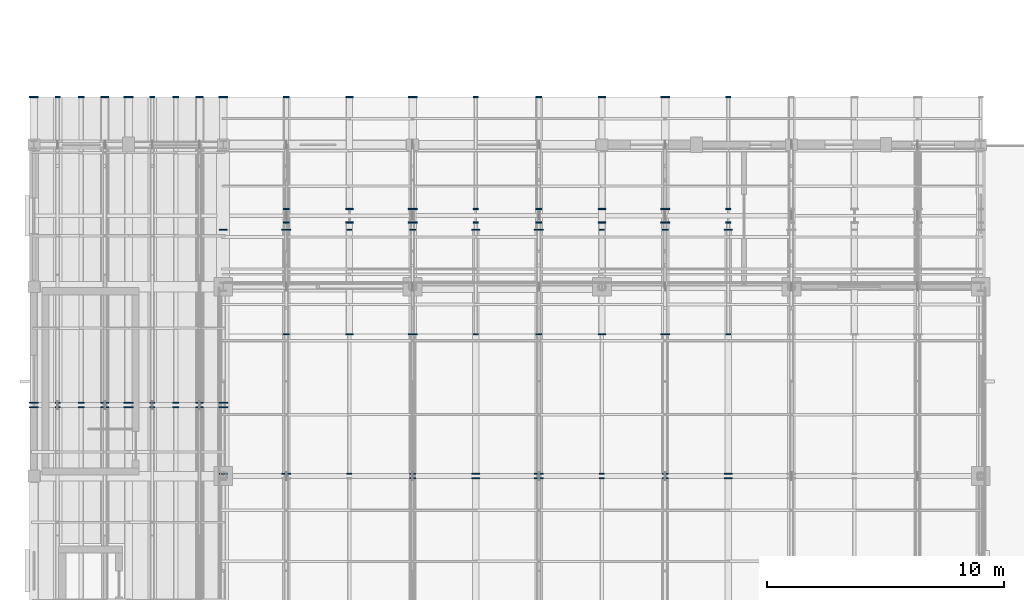
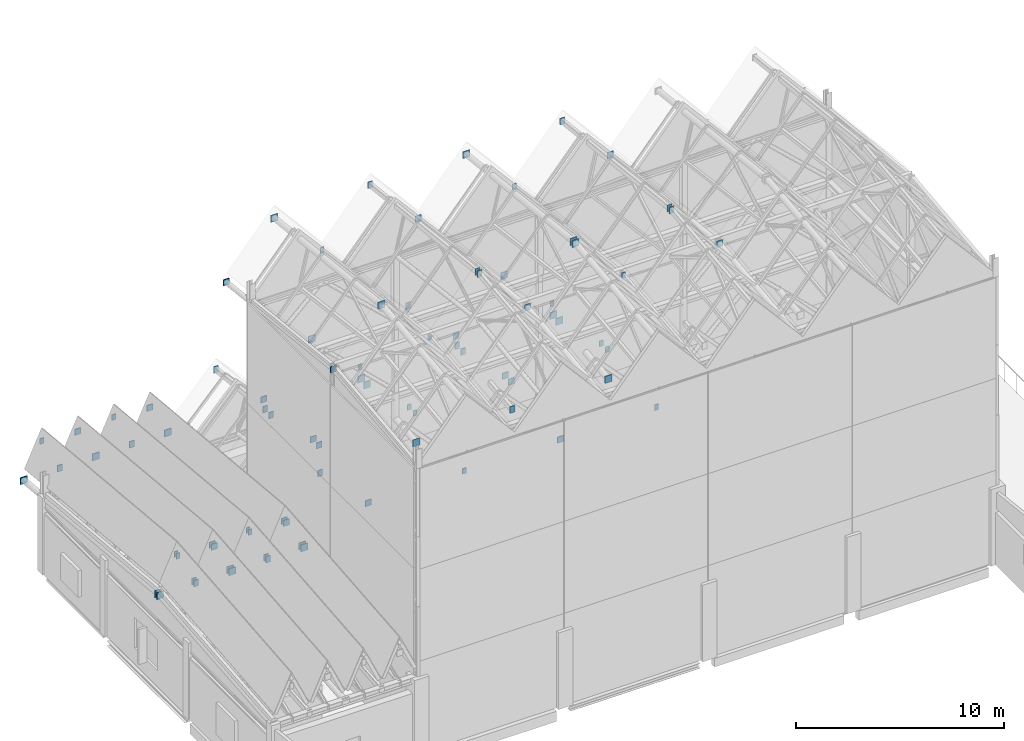
# One storey, part 39 of 48: 83 discrete accessories.
"""IFC4 building model written with IfcOpenShell, lengths in metres."""

from ifc_helpers import new_model, si_unit, direction, frame, origin, origin_2d, place, context, subcontext, project, spatial, rectangle, extrude, material, type_object, element, save


model = new_model("IFC4")

# Units and contexts
model_context = context("Model", 3, precision=1e-05, world=origin(), true_north=direction((0.0, 1.0)))
body_context = subcontext(model_context, "Body", "Model", "MODEL_VIEW")
ifc_project = project(units=[si_unit("LENGTHUNIT", "METRE"), si_unit("AREAUNIT", "SQUARE_METRE"), si_unit("VOLUMEUNIT", "CUBIC_METRE"), si_unit("PLANEANGLEUNIT", "RADIAN"), si_unit("MASSUNIT", "GRAM", prefix="KILO")], contexts=[model_context])

# Site, building, storey
site_placement = place(None, origin())
site = spatial("IfcSite", under=ifc_project, at=site_placement, CompositionType="ELEMENT")
building_placement = place(site_placement, origin())
building = spatial("IfcBuilding", under=site, at=building_placement, Name="Luwemba Playhouse", CompositionType="ELEMENT")
storey_placement = place(building_placement, frame((0.0, 0.0, 13.800048828125)))
storey = spatial("IfcBuildingStorey", under=building, at=storey_placement, Name="L03", CompositionType="ELEMENT", Elevation=13.800048828125)

# Discrete accessories
ifc_material = material(Name="Steel S355", Category="steel")
discrete_accessory_type = type_object("IfcDiscreteAccessoryType", Name="ACC-ENDCAP-S355", PredefinedType="BRACKET", material=ifc_material)
for number, where, z_axis, x_axis, name in (
    (1, (12.0, 76.09521484375, 17.336669921875), (0.0, 0.0, 1.0), (1.0, 0.0, 0.0), "Welded RHS end cap plate 0063"),
    (2, (12.0, 86.414794921875, 16.17919921875), (0.0, 0.0, 1.0), (1.0, 0.0, 0.0), "Welded RHS end cap plate 0064"),
):
    element("IfcDiscreteAccessory", number, at=place(storey_placement, frame(where, z_axis=z_axis, x_axis=x_axis)), inside=storey, type_object=discrete_accessory_type, Name=name, PredefinedType="BRACKET", context=body_context, shape_type="SweptSolid", body=[
        extrude(rectangle(XDim=0.3330078125, YDim=0.044921875, at=origin_2d()), origin(), (0.0, 0.0, 1.0), 0.35302734375),
    ])
for number, where, z_axis, x_axis, name in (
    (3, (14.666748046875, 76.09521484375, 20.1435546875), (0.0, 0.0, 1.0), (1.0, 0.0, 0.0), "Welded RHS end cap plate 0067"),
    (4, (14.666748046875, 86.414794921875, 18.98583984375), (0.0, 0.0, 1.0), (1.0, 0.0, 0.0), "Welded RHS end cap plate 0068"),
):
    element("IfcDiscreteAccessory", number, at=place(storey_placement, frame(where, z_axis=z_axis, x_axis=x_axis)), inside=storey, type_object=discrete_accessory_type, Name=name, PredefinedType="BRACKET", context=body_context, shape_type="SweptSolid", body=[
        extrude(rectangle(XDim=0.384033203125, YDim=0.044921875, at=origin_2d()), origin(), (0.0, 0.0, 1.0), 0.404052734375),
    ])
for number, where, z_axis, x_axis, name in (
    (5, (17.333251953125, 76.09521484375, 17.359619140625), (0.0, 0.0, 1.0), (1.0, 0.0, 0.0), "Welded RHS end cap plate 0071"),
    (6, (17.333251953125, 86.414794921875, 16.2021484375), (0.0, 0.0, 1.0), (1.0, 0.0, 0.0), "Welded RHS end cap plate 0072"),
):
    element("IfcDiscreteAccessory", number, at=place(storey_placement, frame(where, z_axis=z_axis, x_axis=x_axis)), inside=storey, type_object=discrete_accessory_type, Name=name, PredefinedType="BRACKET", context=body_context, shape_type="SweptSolid", body=[
        extrude(rectangle(XDim=0.2099609375, YDim=0.044921875, at=origin_2d()), origin(), (0.0, 0.0, 1.0), 0.330078125),
    ])
for number, where, z_axis, x_axis, name in (
    (7, (20.0, 75.90478515625, 20.239501953125), (0.0, 0.0, 1.0), (1.0, 0.0, 0.0), "Welded RHS end cap plate 0074"),
    (8, (20.0, 76.09521484375, 20.239501953125), (0.0, 0.0, 1.0), (1.0, 0.0, 0.0), "Welded RHS end cap plate 0075"),
    (9, (20.0, 86.414794921875, 19.08203125), (0.0, 0.0, 1.0), (1.0, 0.0, 0.0), "Welded RHS end cap plate 0076"),
):
    element("IfcDiscreteAccessory", number, at=place(storey_placement, frame(where, z_axis=z_axis, x_axis=x_axis)), inside=storey, type_object=discrete_accessory_type, Name=name, PredefinedType="BRACKET", context=body_context, shape_type="SweptSolid", body=[
        extrude(rectangle(XDim=0.260009765625, YDim=0.044921875, at=origin_2d()), origin(), (0.0, 0.0, 1.0), 0.3798828125),
    ])
for number, where, z_axis, x_axis, name in (
    (10, (22.666748046875, 75.90478515625, 17.336669921875), (0.0, 0.0, 1.0), (1.0, 0.0, 0.0), "Welded RHS end cap plate 0078"),
    (11, (22.666748046875, 76.09521484375, 17.336669921875), (0.0, 0.0, 1.0), (1.0, 0.0, 0.0), "Welded RHS end cap plate 0079"),
    (12, (22.666748046875, 86.414794921875, 16.17919921875), (0.0, 0.0, 1.0), (1.0, 0.0, 0.0), "Welded RHS end cap plate 0080"),
):
    element("IfcDiscreteAccessory", number, at=place(storey_placement, frame(where, z_axis=z_axis, x_axis=x_axis)), inside=storey, type_object=discrete_accessory_type, Name=name, PredefinedType="BRACKET", context=body_context, shape_type="SweptSolid", body=[
        extrude(rectangle(XDim=0.3330078125, YDim=0.044921875, at=origin_2d()), origin(), (0.0, 0.0, 1.0), 0.35302734375),
    ])
for number, where, z_axis, x_axis, name in (
    (13, (25.333251953125, 75.90478515625, 20.1435546875), (0.0, 0.0, 1.0), (1.0, 0.0, 0.0), "Welded RHS end cap plate 0082"),
    (14, (25.333251953125, 76.09521484375, 20.1435546875), (0.0, 0.0, 1.0), (1.0, 0.0, 0.0), "Welded RHS end cap plate 0083"),
    (15, (25.333251953125, 86.414794921875, 18.98583984375), (0.0, 0.0, 1.0), (1.0, 0.0, 0.0), "Welded RHS end cap plate 0084"),
):
    element("IfcDiscreteAccessory", number, at=place(storey_placement, frame(where, z_axis=z_axis, x_axis=x_axis)), inside=storey, type_object=discrete_accessory_type, Name=name, PredefinedType="BRACKET", context=body_context, shape_type="SweptSolid", body=[
        extrude(rectangle(XDim=0.384033203125, YDim=0.044921875, at=origin_2d()), origin(), (0.0, 0.0, 1.0), 0.404052734375),
    ])
for number, where, z_axis, x_axis, name in (
    (16, (28.0, 75.90478515625, 17.359619140625), (0.0, 0.0, 1.0), (1.0, 0.0, 0.0), "Welded RHS end cap plate 0086"),
    (17, (28.0, 76.09521484375, 17.359619140625), (0.0, 0.0, 1.0), (1.0, 0.0, 0.0), "Welded RHS end cap plate 0087"),
    (18, (28.0, 86.414794921875, 16.2021484375), (0.0, 0.0, 1.0), (1.0, 0.0, 0.0), "Welded RHS end cap plate 0088"),
):
    element("IfcDiscreteAccessory", number, at=place(storey_placement, frame(where, z_axis=z_axis, x_axis=x_axis)), inside=storey, type_object=discrete_accessory_type, Name=name, PredefinedType="BRACKET", context=body_context, shape_type="SweptSolid", body=[
        extrude(rectangle(XDim=0.2099609375, YDim=0.044921875, at=origin_2d()), origin(), (0.0, 0.0, 1.0), 0.330078125),
    ])
for number, where, z_axis, x_axis, name in (
    (19, (30.666748046875, 75.90478515625, 20.239501953125), (0.0, 0.0, 1.0), (1.0, 0.0, 0.0), "Welded RHS end cap plate 0090"),
    (20, (30.666748046875, 76.09521484375, 20.239501953125), (0.0, 0.0, 1.0), (1.0, 0.0, 0.0), "Welded RHS end cap plate 0091"),
    (21, (30.666748046875, 86.414794921875, 19.08203125), (0.0, 0.0, 1.0), (1.0, 0.0, 0.0), "Welded RHS end cap plate 0092"),
):
    element("IfcDiscreteAccessory", number, at=place(storey_placement, frame(where, z_axis=z_axis, x_axis=x_axis)), inside=storey, type_object=discrete_accessory_type, Name=name, PredefinedType="BRACKET", context=body_context, shape_type="SweptSolid", body=[
        extrude(rectangle(XDim=0.260009765625, YDim=0.044921875, at=origin_2d()), origin(), (0.0, 0.0, 1.0), 0.3798828125),
    ])
for number, where, z_axis, x_axis, name in (
    (22, (33.333251953125, 75.90478515625, 17.336669921875), (0.0, 0.0, 1.0), (1.0, 0.0, 0.0), "Welded RHS end cap plate 0094"),
    (23, (33.333251953125, 76.09521484375, 17.336669921875), (0.0, 0.0, 1.0), (1.0, 0.0, 0.0), "Welded RHS end cap plate 0095"),
    (24, (33.333251953125, 86.414794921875, 16.17919921875), (0.0, 0.0, 1.0), (1.0, 0.0, 0.0), "Welded RHS end cap plate 0096"),
):
    element("IfcDiscreteAccessory", number, at=place(storey_placement, frame(where, z_axis=z_axis, x_axis=x_axis)), inside=storey, type_object=discrete_accessory_type, Name=name, PredefinedType="BRACKET", context=body_context, shape_type="SweptSolid", body=[
        extrude(rectangle(XDim=0.3330078125, YDim=0.044921875, at=origin_2d()), origin(), (0.0, 0.0, 1.0), 0.35302734375),
    ])
for number, where, z_axis, x_axis, name in (
    (25, (4.0, 78.90478515625, 5.13134765625), (0.0, 0.0, 1.0), (1.0, 0.0, 0.0), "Welded RHS end cap plate 0114"),
    (26, (4.0, 79.09521484375, 5.13134765625), (0.0, 0.0, 1.0), (1.0, 0.0, 0.0), "Welded RHS end cap plate 0115"),
    (27, (4.0, 92.014892578125, 3.92822265625), (0.0, 0.0, 1.0), (1.0, 0.0, 0.0), "Welded RHS end cap plate 0116"),
):
    element("IfcDiscreteAccessory", number, at=place(storey_placement, frame(where, z_axis=z_axis, x_axis=x_axis)), inside=storey, type_object=discrete_accessory_type, Name=name, PredefinedType="BRACKET", context=body_context, shape_type="SweptSolid", body=[
        extrude(rectangle(XDim=0.384033203125, YDim=0.044921875, at=origin_2d()), origin(), (0.0, 0.0, 1.0), 0.404052734375),
    ])
for number, where, z_axis, x_axis, name in (
    (28, (5.0, 78.90478515625, 7.120849609375), (0.0, 0.0, 1.0), (1.0, 0.0, 0.0), "Welded RHS end cap plate 0118"),
    (29, (5.0, 79.09521484375, 7.120849609375), (0.0, 0.0, 1.0), (1.0, 0.0, 0.0), "Welded RHS end cap plate 0119"),
    (30, (5.0, 92.014892578125, 5.918212890625), (0.0, 0.0, 1.0), (1.0, 0.0, 0.0), "Welded RHS end cap plate 0120"),
):
    element("IfcDiscreteAccessory", number, at=place(storey_placement, frame(where, z_axis=z_axis, x_axis=x_axis)), inside=storey, type_object=discrete_accessory_type, Name=name, PredefinedType="BRACKET", context=body_context, shape_type="SweptSolid", body=[
        extrude(rectangle(XDim=0.2099609375, YDim=0.044921875, at=origin_2d()), origin(), (0.0, 0.0, 1.0), 0.330078125),
    ])
for number, where, z_axis, x_axis, name in (
    (31, (6.0, 78.90478515625, 5.1552734375), (0.0, 0.0, 1.0), (1.0, 0.0, 0.0), "Welded RHS end cap plate 0122"),
    (32, (6.0, 79.09521484375, 5.1552734375), (0.0, 0.0, 1.0), (1.0, 0.0, 0.0), "Welded RHS end cap plate 0123"),
    (33, (6.0, 92.014892578125, 3.952392578125), (0.0, 0.0, 1.0), (1.0, 0.0, 0.0), "Welded RHS end cap plate 0124"),
):
    element("IfcDiscreteAccessory", number, at=place(storey_placement, frame(where, z_axis=z_axis, x_axis=x_axis)), inside=storey, type_object=discrete_accessory_type, Name=name, PredefinedType="BRACKET", context=body_context, shape_type="SweptSolid", body=[
        extrude(rectangle(XDim=0.260009765625, YDim=0.044921875, at=origin_2d()), origin(), (0.0, 0.0, 1.0), 0.3798828125),
    ])
for number, where, z_axis, x_axis, name in (
    (34, (7.0, 78.90478515625, 6.964111328125), (0.0, 0.0, 1.0), (1.0, 0.0, 0.0), "Welded RHS end cap plate 0126"),
    (35, (7.0, 79.09521484375, 6.964111328125), (0.0, 0.0, 1.0), (1.0, 0.0, 0.0), "Welded RHS end cap plate 0127"),
    (36, (7.0, 92.014892578125, 5.76123046875), (0.0, 0.0, 1.0), (1.0, 0.0, 0.0), "Welded RHS end cap plate 0128"),
):
    element("IfcDiscreteAccessory", number, at=place(storey_placement, frame(where, z_axis=z_axis, x_axis=x_axis)), inside=storey, type_object=discrete_accessory_type, Name=name, PredefinedType="BRACKET", context=body_context, shape_type="SweptSolid", body=[
        extrude(rectangle(XDim=0.3330078125, YDim=0.044921875, at=origin_2d()), origin(), (0.0, 0.0, 1.0), 0.35302734375),
    ])
for number, where, z_axis, x_axis, name in (
    (37, (8.0, 78.90478515625, 5.13134765625), (0.0, 0.0, 1.0), (1.0, 0.0, 0.0), "Welded RHS end cap plate 0130"),
    (38, (8.0, 79.09521484375, 5.13134765625), (0.0, 0.0, 1.0), (1.0, 0.0, 0.0), "Welded RHS end cap plate 0131"),
    (39, (8.0, 92.014892578125, 3.92822265625), (0.0, 0.0, 1.0), (1.0, 0.0, 0.0), "Welded RHS end cap plate 0132"),
):
    element("IfcDiscreteAccessory", number, at=place(storey_placement, frame(where, z_axis=z_axis, x_axis=x_axis)), inside=storey, type_object=discrete_accessory_type, Name=name, PredefinedType="BRACKET", context=body_context, shape_type="SweptSolid", body=[
        extrude(rectangle(XDim=0.384033203125, YDim=0.044921875, at=origin_2d()), origin(), (0.0, 0.0, 1.0), 0.404052734375),
    ])
for number, where, z_axis, x_axis, name in (
    (40, (9.0, 78.90478515625, 7.120849609375), (0.0, 0.0, 1.0), (1.0, 0.0, 0.0), "Welded RHS end cap plate 0134"),
    (41, (9.0, 79.09521484375, 7.120849609375), (0.0, 0.0, 1.0), (1.0, 0.0, 0.0), "Welded RHS end cap plate 0135"),
    (42, (9.0, 92.014892578125, 5.918212890625), (0.0, 0.0, 1.0), (1.0, 0.0, 0.0), "Welded RHS end cap plate 0136"),
):
    element("IfcDiscreteAccessory", number, at=place(storey_placement, frame(where, z_axis=z_axis, x_axis=x_axis)), inside=storey, type_object=discrete_accessory_type, Name=name, PredefinedType="BRACKET", context=body_context, shape_type="SweptSolid", body=[
        extrude(rectangle(XDim=0.2099609375, YDim=0.044921875, at=origin_2d()), origin(), (0.0, 0.0, 1.0), 0.330078125),
    ])
for number, where, z_axis, x_axis, name in (
    (43, (10.0, 78.90478515625, 5.1552734375), (0.0, 0.0, 1.0), (1.0, 0.0, 0.0), "Welded RHS end cap plate 0138"),
    (44, (10.0, 79.09521484375, 5.1552734375), (0.0, 0.0, 1.0), (1.0, 0.0, 0.0), "Welded RHS end cap plate 0139"),
    (45, (10.0, 92.014892578125, 3.952392578125), (0.0, 0.0, 1.0), (1.0, 0.0, 0.0), "Welded RHS end cap plate 0140"),
):
    element("IfcDiscreteAccessory", number, at=place(storey_placement, frame(where, z_axis=z_axis, x_axis=x_axis)), inside=storey, type_object=discrete_accessory_type, Name=name, PredefinedType="BRACKET", context=body_context, shape_type="SweptSolid", body=[
        extrude(rectangle(XDim=0.260009765625, YDim=0.044921875, at=origin_2d()), origin(), (0.0, 0.0, 1.0), 0.3798828125),
    ])
for number, where, z_axis, x_axis, name in (
    (46, (11.0, 78.90478515625, 6.964111328125), (0.0, 0.0, 1.0), (1.0, 0.0, 0.0), "Welded RHS end cap plate 0142"),
    (47, (11.0, 79.09521484375, 6.964111328125), (0.0, 0.0, 1.0), (1.0, 0.0, 0.0), "Welded RHS end cap plate 0143"),
    (48, (11.0, 92.014892578125, 5.76123046875), (0.0, 0.0, 1.0), (1.0, 0.0, 0.0), "Welded RHS end cap plate 0144"),
):
    element("IfcDiscreteAccessory", number, at=place(storey_placement, frame(where, z_axis=z_axis, x_axis=x_axis)), inside=storey, type_object=discrete_accessory_type, Name=name, PredefinedType="BRACKET", context=body_context, shape_type="SweptSolid", body=[
        extrude(rectangle(XDim=0.3330078125, YDim=0.044921875, at=origin_2d()), origin(), (0.0, 0.0, 1.0), 0.35302734375),
    ])
for number, where, z_axis, x_axis, name in (
    (49, (12.0, 78.90478515625, 5.13134765625), (0.0, 0.0, 1.0), (1.0, 0.0, 0.0), "Welded RHS end cap plate 0146"),
    (50, (12.0, 79.09521484375, 5.13134765625), (0.0, 0.0, 1.0), (1.0, 0.0, 0.0), "Welded RHS end cap plate 0147"),
    (51, (12.0, 92.014892578125, 3.92822265625), (0.0, 0.0, 1.0), (1.0, 0.0, 0.0), "Welded RHS end cap plate 0148"),
):
    element("IfcDiscreteAccessory", number, at=place(storey_placement, frame(where, z_axis=z_axis, x_axis=x_axis)), inside=storey, type_object=discrete_accessory_type, Name=name, PredefinedType="BRACKET", context=body_context, shape_type="SweptSolid", body=[
        extrude(rectangle(XDim=0.384033203125, YDim=0.044921875, at=origin_2d()), origin(), (0.0, 0.0, 1.0), 0.404052734375),
    ])
for number, where, z_axis, x_axis, name in (
    (52, (14.666748046875, 81.985107421875, 6.712158203125), (0.0, 0.0, 1.0), (1.0, 0.0, 0.0), "Welded RHS end cap plate 0149"),
    (53, (14.666748046875, 86.71484375, 7.242919921875), (0.0, 0.0, 1.0), (1.0, 0.0, 0.0), "Welded RHS end cap plate 0150"),
    (54, (14.666748046875, 87.28515625, 7.242919921875), (0.0, 0.0, 1.0), (1.0, 0.0, 0.0), "Welded RHS end cap plate 0151"),
    (55, (14.666748046875, 92.014892578125, 6.712158203125), (0.0, 0.0, 1.0), (1.0, 0.0, 0.0), "Welded RHS end cap plate 0152"),
):
    element("IfcDiscreteAccessory", number, at=place(storey_placement, frame(where, z_axis=z_axis, x_axis=x_axis)), inside=storey, type_object=discrete_accessory_type, Name=name, PredefinedType="BRACKET", context=body_context, shape_type="SweptSolid", body=[
        extrude(rectangle(XDim=0.260009765625, YDim=0.044921875, at=origin_2d()), origin(), (0.0, 0.0, 1.0), 0.3798828125),
    ])
for number, where, z_axis, x_axis, name in (
    (56, (17.333251953125, 81.985107421875, 4.035888671875), (0.0, 0.0, 1.0), (1.0, 0.0, 0.0), "Welded RHS end cap plate 0153"),
    (57, (17.333251953125, 86.71484375, 4.566650390625), (0.0, 0.0, 1.0), (1.0, 0.0, 0.0), "Welded RHS end cap plate 0154"),
    (58, (17.333251953125, 87.28515625, 4.566650390625), (0.0, 0.0, 1.0), (1.0, 0.0, 0.0), "Welded RHS end cap plate 0155"),
    (59, (17.333251953125, 92.014892578125, 4.035888671875), (0.0, 0.0, 1.0), (1.0, 0.0, 0.0), "Welded RHS end cap plate 0156"),
):
    element("IfcDiscreteAccessory", number, at=place(storey_placement, frame(where, z_axis=z_axis, x_axis=x_axis)), inside=storey, type_object=discrete_accessory_type, Name=name, PredefinedType="BRACKET", context=body_context, shape_type="SweptSolid", body=[
        extrude(rectangle(XDim=0.3330078125, YDim=0.044921875, at=origin_2d()), origin(), (0.0, 0.0, 1.0), 0.35302734375),
    ])
for number, where, z_axis, x_axis, name in (
    (60, (20.0, 81.985107421875, 6.62158203125), (0.0, 0.0, 1.0), (1.0, 0.0, 0.0), "Welded RHS end cap plate 0157"),
    (61, (20.0, 86.71484375, 7.15234375), (0.0, 0.0, 1.0), (1.0, 0.0, 0.0), "Welded RHS end cap plate 0158"),
    (62, (20.0, 87.28515625, 7.15234375), (0.0, 0.0, 1.0), (1.0, 0.0, 0.0), "Welded RHS end cap plate 0159"),
    (63, (20.0, 92.014892578125, 6.62158203125), (0.0, 0.0, 1.0), (1.0, 0.0, 0.0), "Welded RHS end cap plate 0160"),
):
    element("IfcDiscreteAccessory", number, at=place(storey_placement, frame(where, z_axis=z_axis, x_axis=x_axis)), inside=storey, type_object=discrete_accessory_type, Name=name, PredefinedType="BRACKET", context=body_context, shape_type="SweptSolid", body=[
        extrude(rectangle(XDim=0.384033203125, YDim=0.044921875, at=origin_2d()), origin(), (0.0, 0.0, 1.0), 0.404052734375),
    ])
for number, where, z_axis, x_axis, name in (
    (64, (22.666748046875, 81.985107421875, 4.05908203125), (0.0, 0.0, 1.0), (1.0, 0.0, 0.0), "Welded RHS end cap plate 0161"),
    (65, (22.666748046875, 86.71484375, 4.589599609375), (0.0, 0.0, 1.0), (1.0, 0.0, 0.0), "Welded RHS end cap plate 0162"),
    (66, (22.666748046875, 87.28515625, 4.589599609375), (0.0, 0.0, 1.0), (1.0, 0.0, 0.0), "Welded RHS end cap plate 0163"),
    (67, (22.666748046875, 92.014892578125, 4.05908203125), (0.0, 0.0, 1.0), (1.0, 0.0, 0.0), "Welded RHS end cap plate 0164"),
):
    element("IfcDiscreteAccessory", number, at=place(storey_placement, frame(where, z_axis=z_axis, x_axis=x_axis)), inside=storey, type_object=discrete_accessory_type, Name=name, PredefinedType="BRACKET", context=body_context, shape_type="SweptSolid", body=[
        extrude(rectangle(XDim=0.2099609375, YDim=0.044921875, at=origin_2d()), origin(), (0.0, 0.0, 1.0), 0.330078125),
    ])
for number, where, z_axis, x_axis, name in (
    (68, (25.333251953125, 81.985107421875, 6.71240234375), (0.0, 0.0, 1.0), (1.0, 0.0, 0.0), "Welded RHS end cap plate 0165"),
    (69, (25.333251953125, 86.71484375, 7.242919921875), (0.0, 0.0, 1.0), (1.0, 0.0, 0.0), "Welded RHS end cap plate 0166"),
    (70, (25.333251953125, 87.28515625, 7.242919921875), (0.0, 0.0, 1.0), (1.0, 0.0, 0.0), "Welded RHS end cap plate 0167"),
    (71, (25.333251953125, 92.014892578125, 6.71240234375), (0.0, 0.0, 1.0), (1.0, 0.0, 0.0), "Welded RHS end cap plate 0168"),
):
    element("IfcDiscreteAccessory", number, at=place(storey_placement, frame(where, z_axis=z_axis, x_axis=x_axis)), inside=storey, type_object=discrete_accessory_type, Name=name, PredefinedType="BRACKET", context=body_context, shape_type="SweptSolid", body=[
        extrude(rectangle(XDim=0.260009765625, YDim=0.044921875, at=origin_2d()), origin(), (0.0, 0.0, 1.0), 0.3798828125),
    ])
for number, where, z_axis, x_axis, name in (
    (72, (28.0, 81.985107421875, 4.0361328125), (0.0, 0.0, 1.0), (1.0, 0.0, 0.0), "Welded RHS end cap plate 0169"),
    (73, (28.0, 86.71484375, 4.566650390625), (0.0, 0.0, 1.0), (1.0, 0.0, 0.0), "Welded RHS end cap plate 0170"),
    (74, (28.0, 87.28515625, 4.566650390625), (0.0, 0.0, 1.0), (1.0, 0.0, 0.0), "Welded RHS end cap plate 0171"),
    (75, (28.0, 92.014892578125, 4.0361328125), (0.0, 0.0, 1.0), (1.0, 0.0, 0.0), "Welded RHS end cap plate 0172"),
):
    element("IfcDiscreteAccessory", number, at=place(storey_placement, frame(where, z_axis=z_axis, x_axis=x_axis)), inside=storey, type_object=discrete_accessory_type, Name=name, PredefinedType="BRACKET", context=body_context, shape_type="SweptSolid", body=[
        extrude(rectangle(XDim=0.3330078125, YDim=0.044921875, at=origin_2d()), origin(), (0.0, 0.0, 1.0), 0.35302734375),
    ])
for number, where, z_axis, x_axis, name in (
    (76, (30.666748046875, 81.985107421875, 6.62158203125), (0.0, 0.0, 1.0), (1.0, 0.0, 0.0), "Welded RHS end cap plate 0173"),
    (77, (30.666748046875, 86.71484375, 7.15234375), (0.0, 0.0, 1.0), (1.0, 0.0, 0.0), "Welded RHS end cap plate 0174"),
    (78, (30.666748046875, 87.28515625, 7.15234375), (0.0, 0.0, 1.0), (1.0, 0.0, 0.0), "Welded RHS end cap plate 0175"),
    (79, (30.666748046875, 92.014892578125, 6.62158203125), (0.0, 0.0, 1.0), (1.0, 0.0, 0.0), "Welded RHS end cap plate 0176"),
):
    element("IfcDiscreteAccessory", number, at=place(storey_placement, frame(where, z_axis=z_axis, x_axis=x_axis)), inside=storey, type_object=discrete_accessory_type, Name=name, PredefinedType="BRACKET", context=body_context, shape_type="SweptSolid", body=[
        extrude(rectangle(XDim=0.384033203125, YDim=0.044921875, at=origin_2d()), origin(), (0.0, 0.0, 1.0), 0.404052734375),
    ])
for number, where, z_axis, x_axis, name in (
    (80, (33.333251953125, 81.985107421875, 4.058837890625), (0.0, 0.0, 1.0), (1.0, 0.0, 0.0), "Welded RHS end cap plate 0177"),
    (81, (33.333251953125, 86.71484375, 4.589599609375), (0.0, 0.0, 1.0), (1.0, 0.0, 0.0), "Welded RHS end cap plate 0178"),
    (82, (33.333251953125, 87.28515625, 4.589599609375), (0.0, 0.0, 1.0), (1.0, 0.0, 0.0), "Welded RHS end cap plate 0179"),
    (83, (33.333251953125, 92.014892578125, 4.058837890625), (0.0, 0.0, 1.0), (1.0, 0.0, 0.0), "Welded RHS end cap plate 0180"),
):
    element("IfcDiscreteAccessory", number, at=place(storey_placement, frame(where, z_axis=z_axis, x_axis=x_axis)), inside=storey, type_object=discrete_accessory_type, Name=name, PredefinedType="BRACKET", context=body_context, shape_type="SweptSolid", body=[
        extrude(rectangle(XDim=0.2099609375, YDim=0.044921875, at=origin_2d()), origin(), (0.0, 0.0, 1.0), 0.330078125),
    ])

save(model, "model.ifc")
